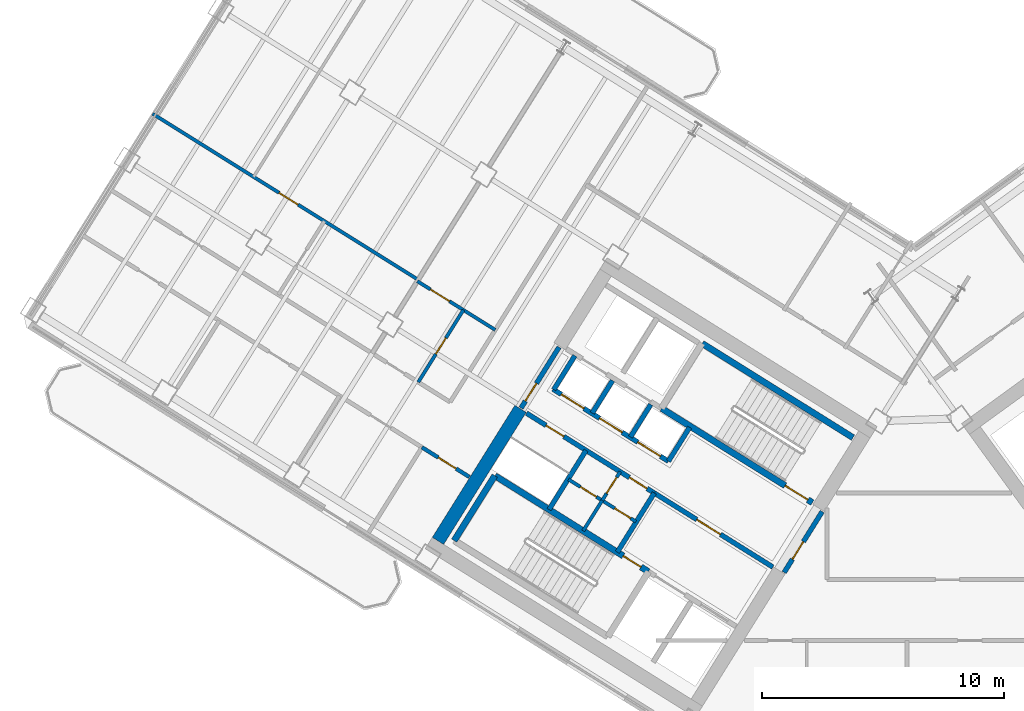
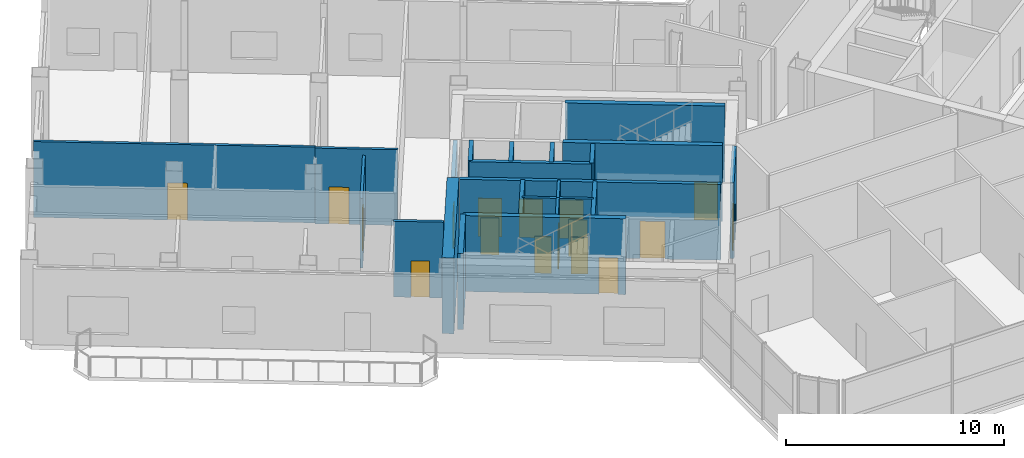
# One storey, part 12 of 21: 23 walls, 17 doors, 17 openings.
"""IFC4 building model written with IfcOpenShell, lengths in metres."""

from ifc_helpers import new_model, si_unit, direction, frame, frame_2d, origin, place, context, subcontext, project, spatial, rectangle, extrude, source, transform, mapped, material, layer, layer_set, type_object, element, fill, save


model = new_model("IFC4")

# Units and contexts
model_context = context("Model", 3, precision=1e-05, world=origin(), true_north=direction((0.0, 1.0)))
body_context = subcontext(model_context, "Body", "Model", "MODEL_VIEW")
ifc_project = project(units=[si_unit("LENGTHUNIT", "METRE"), si_unit("AREAUNIT", "SQUARE_METRE"), si_unit("VOLUMEUNIT", "CUBIC_METRE"), si_unit("PLANEANGLEUNIT", "RADIAN"), si_unit("MASSUNIT", "GRAM", prefix="KILO")], contexts=[model_context])

# Site, building, storey
site_placement = place(None, origin())
site = spatial("IfcSite", under=ifc_project, at=site_placement, CompositionType="ELEMENT")
building_placement = place(site_placement, origin())
building = spatial("IfcBuilding", under=site, at=building_placement, Name="Tlacorven Tower", CompositionType="ELEMENT")
storey_placement = place(building_placement, frame((0.0, 0.0, 199.5)))
storey = spatial("IfcBuildingStorey", under=building, at=storey_placement, Name="L50", CompositionType="ELEMENT", Elevation=199.5)

# Wall
ifc_material_1 = material(Name="Concrete C60/75", Category="concrete")
ifc_layer_1 = layer(ifc_material_1, 0.550048828125)
ifc_layer_set_1 = layer_set([ifc_layer_1], Name="Concrete C60/75")
wall_type_1 = type_object("IfcWallType", Name="WL-COR-550", PredefinedType="SHEAR", material=ifc_layer_set_1)
wall_1_placement = place(storey_placement, frame((26.006591796875, 24.975830078125, 0.0), z_axis=(0.0, 0.0, 1.0), x_axis=(-0.529923795287, -0.848045264823, 0.0)))
element("IfcWall", 1, at=wall_1_placement, inside=storey, type_object=wall_type_1, Name="L50 W core end wall E2.2", PredefinedType="SHEAR", context=body_context, shape_type="SweptSolid", body=[
    extrude(rectangle(XDim=6.425048828125, YDim=0.550048828125, at=frame_2d((3.21240234375, 0.0))), origin(), (0.0, 0.0, 1.0), 4.25),
])

# Wall, opening, door
ifc_material_2 = material(Name="Gypsum plasterboard acoustic partition", Category="gypsum")
ifc_layer_2 = layer(ifc_material_2, 0.159912109375)
ifc_layer_set_2 = layer_set([ifc_layer_2], Name="Gypsum plasterboard acoustic partition")
wall_type_2 = type_object("IfcWallType", Name="WL-DEM-160", PredefinedType="PARTITIONING", material=ifc_layer_set_2)
wall_2_placement = place(storey_placement, frame((23.895751953125, 22.167724609375, 0.0), z_axis=(0.0, 0.0, 1.0), x_axis=(-0.848075553449, 0.529875320846, 0.0)))
wall_2 = element("IfcWall", 2, at=wall_2_placement, inside=storey, type_object=wall_type_2, Name="L50 partition 46", PredefinedType="PARTITIONING", context=body_context, shape_type="SweptSolid", body=[
    extrude(rectangle(XDim=2.307861328125, YDim=0.159912109375, at=frame_2d((1.15380859375, 0.0))), origin(), (0.0, 0.0, 1.0), 4.239990234375),
])
opening_1_placement = place(wall_2_placement, frame((0.64794921875, 0.0, 0.0)))
opening_1 = element("IfcOpeningElement", 3, at=opening_1_placement, cuts=wall_2, Name="Opening D19", PredefinedType="OPENING", context=body_context, shape_type="SweptSolid", body=[
    extrude(rectangle(XDim=0.860107421875, YDim=2.050048828125, at=frame_2d((0.43017578125, 1.02490234375))), frame((0.0, 0.08984375, 0.0), z_axis=(0.0, -1.0, 0.0), x_axis=(1.0, 0.0, 0.0)), (0.0, 0.0, 1.0), 0.179931640625),
])
ifc_material_3 = material(Name="Fire-rated steel door assembly", Category="steel")
door_type_1 = type_object("IfcDoorType", Name="DR-RSR-FD60-0860", OperationType="NOTDEFINED", PredefinedType="DOOR", material=ifc_material_3)
shared_shape_1 = source(origin(), body_context, "Body", "SweptSolid", [
    extrude(rectangle(XDim=0.860107421875, YDim=2.050048828125, at=frame_2d((0.43017578125, 1.02490234375))), frame((0.0, 0.02490234375, 0.0), z_axis=(0.0, -1.0, 0.0), x_axis=(1.0, 0.0, 0.0)), (0.0, 0.0, 1.0), 0.050048828125),
])
door_1_placement = place(opening_1_placement, origin())
door_1 = element("IfcDoor", 4, at=door_1_placement, inside=storey, type_object=door_type_1, Name="L50 door 024", OperationType="SINGLE_SWING_RIGHT", OverallHeight=2.050048828125, OverallWidth=0.860107421875, PredefinedType="DOOR", context=body_context, shape_type="MappedRepresentation", body=[
    mapped(shared_shape_1, transform((0.0, 0.0, 0.0), scale=1.0)),
])
fill(opening_1, door_1)

ifc_material_4 = material(Name="Moisture-resistant gypsum plumbing wall", Category="gypsum")
ifc_layer_3 = layer(ifc_material_4, 0.139892578125)
ifc_layer_set_3 = layer_set([ifc_layer_3], Name="Moisture-resistant gypsum plumbing wall")
wall_type_3 = type_object("IfcWallType", Name="WL-PLM-140", PredefinedType="PLUMBINGWALL", material=ifc_layer_set_3)
wall_3_placement = place(storey_placement, frame((30.117431640625, 22.383544921875, 0.0), z_axis=(0.0, 0.0, 1.0), x_axis=(-0.529951914384, -0.848027693204, 0.0)))
wall_3 = element("IfcWall", 5, at=wall_3_placement, inside=storey, type_object=wall_type_3, Name="L50 partition 23", PredefinedType="PLUMBINGWALL", context=body_context, shape_type="SweptSolid", body=[
    extrude(rectangle(XDim=1.39990234375, YDim=0.139892578125, at=frame_2d((0.699951171875, 0.0))), origin(), (0.0, 0.0, 1.0), 4.239990234375),
])
opening_2_placement = place(wall_3_placement, frame((0.280029296875, 0.0, 0.0)))
opening_2 = element("IfcOpeningElement", 6, at=opening_2_placement, cuts=wall_3, Name="Opening D22", PredefinedType="OPENING", context=body_context, shape_type="SweptSolid", body=[
    extrude(rectangle(XDim=0.780029296875, YDim=2.050048828125, at=frame_2d((0.39013671875, 1.02490234375))), frame((0.0, 0.080078125, 0.0), z_axis=(0.0, -1.0, 0.0), x_axis=(1.0, 0.0, 0.0)), (0.0, 0.0, 1.0), 0.159912109375),
])
ifc_material_5 = material(Name="Powder-coated aluminium and timber door", Category="wood")
door_type_2 = type_object("IfcDoorType", Name="DR-INT-WET-0780", OperationType="NOTDEFINED", PredefinedType="DOOR", material=ifc_material_5)
shared_shape_2 = source(origin(), body_context, "Body", "SweptSolid", [
    extrude(rectangle(XDim=0.780029296875, YDim=2.050048828125, at=frame_2d((0.39013671875, 1.02490234375))), frame((0.0, 0.02490234375, 0.0), z_axis=(0.0, -1.0, 0.0), x_axis=(1.0, 0.0, 0.0)), (0.0, 0.0, 1.0), 0.050048828125),
])
door_2_placement = place(opening_2_placement, origin())
door_2 = element("IfcDoor", 7, at=door_2_placement, inside=storey, type_object=door_type_2, Name="L50 door 013", OperationType="SINGLE_SWING_LEFT", OverallHeight=2.050048828125, OverallWidth=0.780029296875, PredefinedType="DOOR", context=body_context, shape_type="MappedRepresentation", body=[
    mapped(shared_shape_2, transform((0.0, 0.0, 0.0), scale=1.0)),
])
fill(opening_2, door_2)

# Wall
wall_4_placement = place(storey_placement, frame((29.37548828125, 21.1962890625, 0.0), z_axis=(0.0, 0.0, 1.0), x_axis=(-0.529865479138, -0.848081702443, 0.0)))
element("IfcWall", 8, at=wall_4_placement, inside=storey, type_object=wall_type_3, Name="L50 partition 24", PredefinedType="PLUMBINGWALL", context=body_context, shape_type="SweptSolid", body=[
    extrude(rectangle(XDim=1.47998046875, YDim=0.139892578125, at=frame_2d((0.739990234375, 0.0))), origin(), (0.0, 0.0, 1.0), 4.239990234375),
])

# Wall, openings, doors
wall_5_placement = place(storey_placement, frame((30.766357421875, 20.3271484375, 0.0), z_axis=(0.0, 0.0, 1.0), x_axis=(-0.848052663127, 0.529911955482, 0.0)))
wall_5 = element("IfcWall", 9, at=wall_5_placement, inside=storey, type_object=wall_type_3, Name="L50 partition 25", PredefinedType="PLUMBINGWALL", context=body_context, shape_type="SweptSolid", body=[
    extrude(rectangle(XDim=3.27978515625, YDim=0.139892578125, at=frame_2d((1.639892578125, 0.0))), origin(), (0.0, 0.0, 1.0), 4.239990234375),
])
opening_3_placement = place(wall_5_placement, frame((0.25, 0.0, 0.0)))
opening_3 = element("IfcOpeningElement", 10, at=opening_3_placement, cuts=wall_5, Name="Opening D22", PredefinedType="OPENING", context=body_context, shape_type="SweptSolid", body=[
    extrude(rectangle(XDim=0.780029296875, YDim=2.050048828125, at=frame_2d((0.39013671875, 1.02490234375))), frame((0.0, 0.080078125, 0.0), z_axis=(0.0, -1.0, 0.0), x_axis=(1.0, 0.0, 0.0)), (0.0, 0.0, 1.0), 0.159912109375),
])
opening_4_placement = place(wall_5_placement, frame((1.919921875, 0.0, 0.0)))
opening_4 = element("IfcOpeningElement", 11, at=opening_4_placement, cuts=wall_5, Name="Opening D22", PredefinedType="OPENING", context=body_context, shape_type="SweptSolid", body=[
    extrude(rectangle(XDim=0.780029296875, YDim=2.050048828125, at=frame_2d((0.39013671875, 1.02490234375))), frame((0.0, 0.080078125, 0.0), z_axis=(0.0, -1.0, 0.0), x_axis=(1.0, 0.0, 0.0)), (0.0, 0.0, 1.0), 0.159912109375),
])
door_3_placement = place(opening_3_placement, origin())
door_3 = element("IfcDoor", 12, at=door_3_placement, inside=storey, type_object=door_type_2, Name="L50 door 014", OperationType="SINGLE_SWING_RIGHT", OverallHeight=2.050048828125, OverallWidth=0.780029296875, PredefinedType="DOOR", context=body_context, shape_type="MappedRepresentation", body=[
    mapped(shared_shape_2, transform((0.0, 0.0, 0.0), scale=1.0)),
])
fill(opening_3, door_3)
door_4_placement = place(opening_4_placement, origin())
door_4 = element("IfcDoor", 13, at=door_4_placement, inside=storey, type_object=door_type_2, Name="L50 door 015", OperationType="SINGLE_SWING_LEFT", OverallHeight=2.050048828125, OverallWidth=0.780029296875, PredefinedType="DOOR", context=body_context, shape_type="MappedRepresentation", body=[
    mapped(shared_shape_2, transform((0.0, 0.0, 0.0), scale=1.0)),
])
fill(opening_4, door_4)

# Wall, opening, door
wall_6_placement = place(storey_placement, frame((24.96435546875, 28.233154296875, 0.0), z_axis=(0.0, 0.0, 1.0), x_axis=(-0.848059820872, 0.529900500304, 0.0)))
wall_6 = element("IfcWall", 14, at=wall_6_placement, inside=storey, type_object=wall_type_3, Name="L50 partition 55", PredefinedType="PLUMBINGWALL", context=body_context, shape_type="SweptSolid", body=[
    extrude(rectangle(XDim=3.7900390625, YDim=0.139892578125, at=frame_2d((1.89501953125, 0.0))), origin(), (0.0, 0.0, 1.0), 4.239990234375),
])
opening_5_placement = place(wall_6_placement, frame((2.22998046875, 0.0, 0.0)))
opening_5 = element("IfcOpeningElement", 15, at=opening_5_placement, cuts=wall_6, Name="Opening D12", PredefinedType="OPENING", context=body_context, shape_type="SweptSolid", body=[
    extrude(rectangle(XDim=0.919921875, YDim=2.080078125, at=frame_2d((0.4599609375, 1.0400390625))), frame((0.0, 0.080078125, 0.0), z_axis=(0.0, -1.0, 0.0), x_axis=(1.0, 0.0, 0.0)), (0.0, 0.0, 1.0), 0.159912109375),
])
door_type_3 = type_object("IfcDoorType", Name="DR-INT-ROOM-0920", OperationType="NOTDEFINED", PredefinedType="DOOR", material=ifc_material_5)
shared_shape_3 = source(origin(), body_context, "Body", "SweptSolid", [
    extrude(rectangle(XDim=0.919921875, YDim=2.080078125, at=frame_2d((0.4599609375, 1.0400390625))), frame((0.0, 0.02490234375, 0.0), z_axis=(0.0, -1.0, 0.0), x_axis=(1.0, 0.0, 0.0)), (0.0, 0.0, 1.0), 0.050048828125),
])
door_5_placement = place(opening_5_placement, origin())
door_5 = element("IfcDoor", 16, at=door_5_placement, inside=storey, type_object=door_type_3, Name="L50 door 030", OperationType="SINGLE_SWING_LEFT", OverallHeight=2.080078125, OverallWidth=0.919921875, PredefinedType="DOOR", context=body_context, shape_type="MappedRepresentation", body=[
    mapped(shared_shape_3, transform((0.0, 0.0, 0.0), scale=1.0)),
])
fill(opening_5, door_5)

wall_7_placement = place(storey_placement, frame((23.649658203125, 29.054443359375, 0.0), z_axis=(0.0, 0.0, 1.0), x_axis=(-0.529898896701, -0.848060822863, 0.0)))
wall_7 = element("IfcWall", 17, at=wall_7_placement, inside=storey, type_object=wall_type_3, Name="L50 partition 56", PredefinedType="PLUMBINGWALL", context=body_context, shape_type="SweptSolid", body=[
    extrude(rectangle(XDim=3.509765625, YDim=0.139892578125, at=frame_2d((1.7548828125, 0.0))), origin(), (0.0, 0.0, 1.0), 3.89501953125),
])
opening_6_placement = place(wall_7_placement, frame((1.364990234375, 0.0, 0.0)))
opening_6 = element("IfcOpeningElement", 18, at=opening_6_placement, cuts=wall_7, Name="Opening D22", PredefinedType="OPENING", context=body_context, shape_type="SweptSolid", body=[
    extrude(rectangle(XDim=0.780029296875, YDim=2.050048828125, at=frame_2d((0.39013671875, 1.02490234375))), frame((0.0, 0.080078125, 0.0), z_axis=(0.0, -1.0, 0.0), x_axis=(1.0, 0.0, 0.0)), (0.0, 0.0, 1.0), 0.159912109375),
])
door_6_placement = place(opening_6_placement, origin())
door_6 = element("IfcDoor", 19, at=door_6_placement, inside=storey, type_object=door_type_2, Name="L50 door 031", OperationType="SINGLE_SWING_RIGHT", OverallHeight=2.050048828125, OverallWidth=0.780029296875, PredefinedType="DOOR", context=body_context, shape_type="MappedRepresentation", body=[
    mapped(shared_shape_2, transform((0.0, 0.0, 0.0), scale=1.0)),
])
fill(opening_6, door_6)

wall_8_placement = place(storey_placement, frame((21.787353515625, 30.30078125, 0.0), z_axis=(0.0, 0.0, 1.0), x_axis=(-0.848043949058, 0.52992590092, 0.0)))
wall_8 = element("IfcWall", 20, at=wall_8_placement, inside=storey, type_object=wall_type_3, Name="L50 partition 57", PredefinedType="PLUMBINGWALL", context=body_context, shape_type="SweptSolid", body=[
    extrude(rectangle(XDim=12.920166015625, YDim=0.139892578125, at=frame_2d((6.4599609375, 0.0))), origin(), (0.0, 0.0, 1.0), 4.239990234375),
])
opening_7_placement = place(wall_8_placement, frame((5.84912109375, 0.0, 0.0)))
opening_7 = element("IfcOpeningElement", 21, at=opening_7_placement, cuts=wall_8, Name="Opening D12", PredefinedType="OPENING", context=body_context, shape_type="SweptSolid", body=[
    extrude(rectangle(XDim=0.919921875, YDim=2.080078125, at=frame_2d((0.4599609375, 1.0400390625))), frame((0.0, 0.080078125, 0.0), z_axis=(0.0, -1.0, 0.0), x_axis=(1.0, 0.0, 0.0)), (0.0, 0.0, 1.0), 0.159912109375),
])
door_7_placement = place(opening_7_placement, origin())
door_7 = element("IfcDoor", 22, at=door_7_placement, inside=storey, type_object=door_type_3, Name="L50 door 034", OperationType="SINGLE_SWING_LEFT", OverallHeight=2.080078125, OverallWidth=0.919921875, PredefinedType="DOOR", context=body_context, shape_type="MappedRepresentation", body=[
    mapped(shared_shape_3, transform((0.0, 0.0, 0.0), scale=1.0)),
])
fill(opening_7, door_7)

ifc_material_6 = material(Name="Concrete C40/50", Category="concrete")
ifc_layer_4 = layer(ifc_material_6, 0.199951171875)
ifc_layer_set_4 = layer_set([ifc_layer_4], Name="Concrete C40/50")
wall_type_4 = type_object("IfcWallType", Name="WL-SHF-200", PredefinedType="STANDARD", material=ifc_layer_set_4)
wall_9_placement = place(storey_placement, frame((36.416748046875, 18.447265625, 0.0), z_axis=(0.0, 0.0, 1.0), x_axis=(-0.848064879198, 0.529892404805, 0.0)))
wall_9 = element("IfcWall", 23, at=wall_9_placement, inside=storey, type_object=wall_type_4, Name="L50 Core W Smoke Lobby Wall", PredefinedType="STANDARD", context=body_context, shape_type="SweptSolid", body=[
    extrude(rectangle(XDim=5.76806640625, YDim=0.199951171875, at=frame_2d((2.884033203125, 0.0))), origin(), (0.0, 0.0, 1.0), 4.239990234375),
])
opening_8_placement = place(wall_9_placement, frame((2.548095703125, 0.0, 0.0)))
opening_8 = element("IfcOpeningElement", 24, at=opening_8_placement, cuts=wall_9, Name="Opening D09", PredefinedType="OPENING", context=body_context, shape_type="SweptSolid", body=[
    extrude(rectangle(XDim=1.14990234375, YDim=2.10009765625, at=frame_2d((0.574951171875, 1.050048828125))), frame((0.0, 0.10986328125, 0.0), z_axis=(0.0, -1.0, 0.0), x_axis=(1.0, 0.0, 0.0)), (0.0, 0.0, 1.0), 0.219970703125),
])
door_type_4 = type_object("IfcDoorType", Name="DR-FFL-FD60-1150", OperationType="NOTDEFINED", PredefinedType="DOOR", material=ifc_material_3)
shared_shape_4 = source(origin(), body_context, "Body", "SweptSolid", [
    extrude(rectangle(XDim=1.14990234375, YDim=2.10009765625, at=frame_2d((0.574951171875, 1.050048828125))), frame((0.0, 0.02490234375, 0.0), z_axis=(0.0, -1.0, 0.0), x_axis=(1.0, 0.0, 0.0)), (0.0, 0.0, 1.0), 0.050048828125),
])
door_8_placement = place(opening_8_placement, origin())
door_8 = element("IfcDoor", 25, at=door_8_placement, inside=storey, type_object=door_type_4, Name="L50 Firefighting Lobby W Fire Door", OperationType="SINGLE_SWING_RIGHT", OverallHeight=2.10009765625, OverallWidth=1.14990234375, PredefinedType="DOOR", context=body_context, shape_type="MappedRepresentation", body=[
    mapped(shared_shape_4, transform((0.0, 0.0, 0.0), scale=1.0)),
])
fill(opening_8, door_8)

# Wall, openings, doors
wall_10_placement = place(storey_placement, frame((32.108154296875, 22.81396484375, 0.0), z_axis=(0.0, 0.0, 1.0), x_axis=(-0.848042229521, 0.529928652696, 0.0)))
wall_10 = element("IfcWall", 26, at=wall_10_placement, inside=storey, type_object=wall_type_4, Name="L50 partition 11", PredefinedType="STANDARD", context=body_context, shape_type="SweptSolid", body=[
    extrude(rectangle(XDim=5.6201171875, YDim=0.199951171875, at=frame_2d((2.81005859375, 0.0))), origin(), (0.0, 0.0, 1.0), 4.239990234375),
])
opening_9_placement = place(wall_10_placement, frame((0.389892578125, 0.0, 0.0)))
opening_9 = element("IfcOpeningElement", 27, at=opening_9_placement, cuts=wall_10, Name="Opening LD01", PredefinedType="OPENING", context=body_context, shape_type="SweptSolid", body=[
    extrude(rectangle(XDim=1.10009765625, YDim=2.14990234375, at=frame_2d((0.550048828125, 1.074951171875))), frame((0.0, 0.10986328125, 0.0), z_axis=(0.0, -1.0, 0.0), x_axis=(1.0, 0.0, 0.0)), (0.0, 0.0, 1.0), 0.219970703125),
])
opening_10_placement = place(wall_10_placement, frame((2.25, 0.0, 0.0)))
opening_10 = element("IfcOpeningElement", 28, at=opening_10_placement, cuts=wall_10, Name="Opening LD01", PredefinedType="OPENING", context=body_context, shape_type="SweptSolid", body=[
    extrude(rectangle(XDim=1.10009765625, YDim=2.14990234375, at=frame_2d((0.550048828125, 1.074951171875))), frame((0.0, 0.10986328125, 0.0), z_axis=(0.0, -1.0, 0.0), x_axis=(1.0, 0.0, 0.0)), (0.0, 0.0, 1.0), 0.219970703125),
])
opening_11_placement = place(wall_10_placement, frame((4.110107421875, 0.0, 0.0)))
opening_11 = element("IfcOpeningElement", 29, at=opening_11_placement, cuts=wall_10, Name="Opening LD01", PredefinedType="OPENING", context=body_context, shape_type="SweptSolid", body=[
    extrude(rectangle(XDim=1.10009765625, YDim=2.14990234375, at=frame_2d((0.550048828125, 1.074951171875))), frame((0.0, 0.10986328125, 0.0), z_axis=(0.0, -1.0, 0.0), x_axis=(1.0, 0.0, 0.0)), (0.0, 0.0, 1.0), 0.219970703125),
])
door_type_5 = type_object("IfcDoorType", Name="DR-LFT-SLID-1100", OperationType="DOUBLE_DOOR_SLIDING", PredefinedType="DOOR", material=ifc_material_3)
shared_shape_5 = source(origin(), body_context, "Body", "SweptSolid", [
    extrude(rectangle(XDim=1.10009765625, YDim=2.14990234375, at=frame_2d((0.550048828125, 1.074951171875))), frame((0.0, 0.02490234375, 0.0), z_axis=(0.0, -1.0, 0.0), x_axis=(1.0, 0.0, 0.0)), (0.0, 0.0, 1.0), 0.050048828125),
])
door_9_placement = place(opening_9_placement, origin())
door_9 = element("IfcDoor", 30, at=door_9_placement, inside=storey, type_object=door_type_5, Name="L50 Lift PL-M1 Sliding Landing Door", OperationType="DOUBLE_DOOR_SLIDING", OverallHeight=2.14990234375, OverallWidth=1.10009765625, PredefinedType="DOOR", context=body_context, shape_type="MappedRepresentation", body=[
    mapped(shared_shape_5, transform((0.0, 0.0, 0.0), scale=1.0)),
])
fill(opening_9, door_9)
door_10_placement = place(opening_10_placement, origin())
door_10 = element("IfcDoor", 31, at=door_10_placement, inside=storey, type_object=door_type_5, Name="L50 Lift PL-M2 Sliding Landing Door", OperationType="DOUBLE_DOOR_SLIDING", OverallHeight=2.14990234375, OverallWidth=1.10009765625, PredefinedType="DOOR", context=body_context, shape_type="MappedRepresentation", body=[
    mapped(shared_shape_5, transform((0.0, 0.0, 0.0), scale=1.0)),
])
fill(opening_10, door_10)
door_11_placement = place(opening_11_placement, origin())
door_11 = element("IfcDoor", 32, at=door_11_placement, inside=storey, type_object=door_type_5, Name="L50 Lift PL-M3 Sliding Landing Door", OperationType="DOUBLE_DOOR_SLIDING", OverallHeight=2.14990234375, OverallWidth=1.10009765625, PredefinedType="DOOR", context=body_context, shape_type="MappedRepresentation", body=[
    mapped(shared_shape_5, transform((0.0, 0.0, 0.0), scale=1.0)),
])
fill(opening_11, door_11)

# Walls
wall_11_placement = place(storey_placement, frame((32.982421875, 24.21337890625, 0.0), z_axis=(0.0, 0.0, 1.0), x_axis=(-0.529839334948, -0.84809803628, 0.0)))
element("IfcWall", 33, at=wall_11_placement, inside=storey, type_object=wall_type_4, Name="L50 partition 12", PredefinedType="STANDARD", context=body_context, shape_type="SweptSolid", body=[
    extrude(rectangle(XDim=1.650146484375, YDim=0.199951171875, at=frame_2d((0.8251953125, 0.0))), origin(), (0.0, 0.0, 1.0), 4.239990234375),
])
wall_12_placement = place(storey_placement, frame((28.250244140625, 27.170166015625, 0.0), z_axis=(0.0, 0.0, 1.0), x_axis=(-0.529905827651, -0.848056492117, 0.0)))
element("IfcWall", 34, at=wall_12_placement, inside=storey, type_object=wall_type_4, Name="L50 partition 13", PredefinedType="STANDARD", context=body_context, shape_type="SweptSolid", body=[
    extrude(rectangle(XDim=1.64990234375, YDim=0.199951171875, at=frame_2d((0.824951171875, 0.0))), origin(), (0.0, 0.0, 1.0), 4.239990234375),
])
for number, where, z_axis, x_axis, name in (
    (35, (31.378662109375, 25.156494140625, 0.0), (0.0, 0.0, 1.0), (-0.529998940003, -0.847998304005, 0.0), "L50 partition 18"),
    (36, (29.80126953125, 26.14208984375, 0.0), (0.0, 0.0, 1.0), (-0.529998940003, -0.847998304005, 0.0), "L50 partition 19"),
):
    element("IfcWall", number, at=place(storey_placement, frame(where, z_axis=z_axis, x_axis=x_axis)), inside=storey, type_object=wall_type_4, Name=name, PredefinedType="STANDARD", context=body_context, shape_type="SweptSolid", body=[
        extrude(rectangle(XDim=1.580078125, YDim=0.199951171875, at=frame_2d((0.7900390625, 0.0))), origin(), (0.0, 0.0, 1.0), 4.239990234375),
    ])
for number, where, z_axis, x_axis, name in (
    (37, (31.525146484375, 21.503662109375, 0.0), (0.0, 0.0, 1.0), (-0.529907497854, -0.848055448493, 0.0), "L50 partition 20"),
    (38, (28.709716796875, 23.26318359375, 0.0), (0.0, 0.0, 1.0), (-0.529907497854, -0.848055448493, 0.0), "L50 partition 21"),
):
    element("IfcWall", number, at=place(storey_placement, frame(where, z_axis=z_axis, x_axis=x_axis)), inside=storey, type_object=wall_type_4, Name=name, PredefinedType="STANDARD", context=body_context, shape_type="SweptSolid", body=[
        extrude(rectangle(XDim=2.8798828125, YDim=0.199951171875, at=frame_2d((1.43994140625, 0.0))), origin(), (0.0, 0.0, 1.0), 4.239990234375),
    ])

# Wall, openings, doors
wall_13_placement = place(storey_placement, frame((31.525146484375, 21.503662109375, 0.0), z_axis=(0.0, 0.0, 1.0), x_axis=(-0.848040211232, 0.529931882541, 0.0)))
wall_13 = element("IfcWall", 39, at=wall_13_placement, inside=storey, type_object=wall_type_4, Name="L50 Core W North Service Wall", PredefinedType="STANDARD", context=body_context, shape_type="SweptSolid", body=[
    extrude(rectangle(XDim=6.218017578125, YDim=0.199951171875, at=frame_2d((3.10888671875, 0.0))), origin(), (0.0, 0.0, 1.0), 4.239990234375),
])
opening_12_placement = place(wall_13_placement, frame((4.39990234375, 0.0, 0.0)))
opening_12 = element("IfcOpeningElement", 40, at=opening_12_placement, cuts=wall_13, Name="Opening D19", PredefinedType="OPENING", context=body_context, shape_type="SweptSolid", body=[
    extrude(rectangle(XDim=0.860107421875, YDim=2.050048828125, at=frame_2d((0.43017578125, 1.02490234375))), frame((0.0, 0.10986328125, 0.0), z_axis=(0.0, -1.0, 0.0), x_axis=(1.0, 0.0, 0.0)), (0.0, 0.0, 1.0), 0.219970703125),
])
opening_13_placement = place(wall_13_placement, frame((0.35009765625, 0.0, 0.0)))
opening_13 = element("IfcOpeningElement", 41, at=opening_13_placement, cuts=wall_13, Name="Opening D19", PredefinedType="OPENING", context=body_context, shape_type="SweptSolid", body=[
    extrude(rectangle(XDim=0.860107421875, YDim=2.050048828125, at=frame_2d((0.43017578125, 1.02490234375))), frame((0.0, 0.10986328125, 0.0), z_axis=(0.0, -1.0, 0.0), x_axis=(1.0, 0.0, 0.0)), (0.0, 0.0, 1.0), 0.219970703125),
])
door_12_placement = place(opening_12_placement, frame((0.860107421875, 0.0, 0.0), z_axis=(0.0, 0.0, 1.0), x_axis=(-1.0, 0.0, 0.0)))
door_12 = element("IfcDoor", 42, at=door_12_placement, inside=storey, type_object=door_type_1, Name="L50 Electrical Riser Access Door W", OperationType="SINGLE_SWING_LEFT", OverallHeight=2.050048828125, OverallWidth=0.860107421875, PredefinedType="DOOR", context=body_context, shape_type="MappedRepresentation", body=[
    mapped(shared_shape_1, transform((0.0, 0.0, 0.0), scale=1.0)),
])
fill(opening_12, door_12)
door_13_placement = place(opening_13_placement, frame((0.860107421875, 0.0, 0.0), z_axis=(0.0, 0.0, 1.0), x_axis=(-1.0, 0.0, 0.0)))
door_13 = element("IfcDoor", 43, at=door_13_placement, inside=storey, type_object=door_type_1, Name="L50 Cleaning Room Access Door W", OperationType="SINGLE_SWING_RIGHT", OverallHeight=2.050048828125, OverallWidth=0.860107421875, PredefinedType="DOOR", context=body_context, shape_type="MappedRepresentation", body=[
    mapped(shared_shape_1, transform((0.0, 0.0, 0.0), scale=1.0)),
])
fill(opening_13, door_13)

# Wall, opening, door
wall_14_placement = place(storey_placement, frame((27.59619140625, 27.52001953125, 0.0), z_axis=(0.0, 0.0, 1.0), x_axis=(-0.529865479138, -0.848081702443, 0.0)))
wall_14 = element("IfcWall", 44, at=wall_14_placement, inside=storey, type_object=wall_type_4, Name="L50 partition 44", PredefinedType="STANDARD", context=body_context, shape_type="SweptSolid", body=[
    extrude(rectangle(XDim=2.9599609375, YDim=0.199951171875, at=frame_2d((1.47998046875, 0.0))), origin(), (0.0, 0.0, 1.0), 4.239990234375),
])
opening_14_placement = place(wall_14_placement, frame((1.760009765625, 0.0, 0.0)))
opening_14 = element("IfcOpeningElement", 45, at=opening_14_placement, cuts=wall_14, Name="Opening D19", PredefinedType="OPENING", context=body_context, shape_type="SweptSolid", body=[
    extrude(rectangle(XDim=0.860107421875, YDim=2.050048828125, at=frame_2d((0.43017578125, 1.02490234375))), frame((0.0, 0.10986328125, 0.0), z_axis=(0.0, -1.0, 0.0), x_axis=(1.0, 0.0, 0.0)), (0.0, 0.0, 1.0), 0.219970703125),
])
door_14_placement = place(opening_14_placement, origin())
door_14 = element("IfcDoor", 46, at=door_14_placement, inside=storey, type_object=door_type_1, Name="L50 door 025", OperationType="SINGLE_SWING_LEFT", OverallHeight=2.050048828125, OverallWidth=0.860107421875, PredefinedType="DOOR", context=body_context, shape_type="MappedRepresentation", body=[
    mapped(shared_shape_1, transform((0.0, 0.0, 0.0), scale=1.0)),
])
fill(opening_14, door_14)

wall_15_placement = place(storey_placement, frame((38.451416015625, 20.737060546875, 0.0), z_axis=(0.0, 0.0, 1.0), x_axis=(-0.529924799939, -0.848044637038, 0.0)))
wall_15 = element("IfcWall", 47, at=wall_15_placement, inside=storey, type_object=wall_type_4, Name="L50 partition 65", PredefinedType="STANDARD", context=body_context, shape_type="SweptSolid", body=[
    extrude(rectangle(XDim=2.9599609375, YDim=0.199951171875, at=frame_2d((1.47998046875, 0.0))), origin(), (0.0, 0.0, 1.0), 4.239990234375),
])
opening_15_placement = place(wall_15_placement, frame((1.4599609375, 0.0, 0.0)))
opening_15 = element("IfcOpeningElement", 48, at=opening_15_placement, cuts=wall_15, Name="Opening D19", PredefinedType="OPENING", context=body_context, shape_type="SweptSolid", body=[
    extrude(rectangle(XDim=0.860107421875, YDim=2.050048828125, at=frame_2d((0.43017578125, 1.02490234375))), frame((0.0, 0.10986328125, 0.0), z_axis=(0.0, -1.0, 0.0), x_axis=(1.0, 0.0, 0.0)), (0.0, 0.0, 1.0), 0.219970703125),
])
door_15_placement = place(opening_15_placement, frame((0.860107421875, 0.0, 0.0), z_axis=(0.0, 0.0, 1.0), x_axis=(-1.0, 0.0, 0.0)))
door_15 = element("IfcDoor", 49, at=door_15_placement, inside=storey, type_object=door_type_1, Name="L50 door 040", OperationType="SINGLE_SWING_LEFT", OverallHeight=2.050048828125, OverallWidth=0.860107421875, PredefinedType="DOOR", context=body_context, shape_type="MappedRepresentation", body=[
    mapped(shared_shape_1, transform((0.0, 0.0, 0.0), scale=1.0)),
])
fill(opening_15, door_15)

ifc_material_7 = material(Name="Concrete C50/60", Category="concrete")
ifc_layer_5 = layer(ifc_material_7, 0.260009765625)
ifc_layer_set_5 = layer_set([ifc_layer_5], Name="Concrete C50/60")
wall_type_5 = type_object("IfcWallType", Name="WL-STW-260", PredefinedType="SHEAR", material=ifc_layer_set_5)
wall_16_placement = place(storey_placement, frame((31.279541015625, 18.26123046875, 0.0), z_axis=(0.0, 0.0, 1.0), x_axis=(-0.848051618787, 0.529913626805, 0.0)))
wall_16 = element("IfcWall", 50, at=wall_16_placement, inside=storey, type_object=wall_type_5, Name="L50 Stair W1 Lobby Shear Wall", PredefinedType="SHEAR", context=body_context, shape_type="SweptSolid", body=[
    extrude(rectangle(XDim=7.4599609375, YDim=0.260009765625, at=frame_2d((3.72998046875, 0.0))), origin(), (0.0, 0.0, 1.0), 4.25),
])
opening_16_placement = place(wall_16_placement, frame((0.360107421875, 0.0, 0.0)))
opening_16 = element("IfcOpeningElement", 51, at=opening_16_placement, cuts=wall_16, Name="Opening D19", PredefinedType="OPENING", context=body_context, shape_type="SweptSolid", body=[
    extrude(rectangle(XDim=0.860107421875, YDim=2.050048828125, at=frame_2d((0.43017578125, 1.02490234375))), frame((0.0, 0.14013671875, 0.0), z_axis=(0.0, -1.0, 0.0), x_axis=(1.0, 0.0, 0.0)), (0.0, 0.0, 1.0), 0.280029296875),
])
door_16_placement = place(opening_16_placement, frame((0.860107421875, 0.0, 0.0), z_axis=(0.0, 0.0, 1.0), x_axis=(-1.0, 0.0, 0.0)))
door_16 = element("IfcDoor", 52, at=door_16_placement, inside=storey, type_object=door_type_1, Name="L50 Exit Stair W1 Fire Door", OperationType="SINGLE_SWING_LEFT", OverallHeight=2.050048828125, OverallWidth=0.860107421875, PredefinedType="DOOR", context=body_context, shape_type="MappedRepresentation", body=[
    mapped(shared_shape_1, transform((0.0, 0.0, 0.0), scale=1.0)),
])
fill(opening_16, door_16)

# Walls
wall_17_placement = place(storey_placement, frame((24.944580078125, 22.2197265625, 0.0), z_axis=(0.0, 0.0, 1.0), x_axis=(-0.529908658664, -0.84805472316, 0.0)))
element("IfcWall", 53, at=wall_17_placement, inside=storey, type_object=wall_type_5, Name="L50 Stair W1 East Shear Wall", PredefinedType="SHEAR", context=body_context, shape_type="SweptSolid", body=[
    extrude(rectangle(XDim=3.16015625, YDim=0.260009765625, at=frame_2d((1.580078125, 0.0))), origin(), (0.0, 0.0, 1.0), 4.25),
])
wall_18_placement = place(storey_placement, frame((39.720947265625, 23.787841796875, 0.0), z_axis=(0.0, 0.0, 1.0), x_axis=(-0.848054434086, 0.529909121291, 0.0)))
element("IfcWall", 54, at=wall_18_placement, inside=storey, type_object=wall_type_5, Name="L50 Stair W2 Far Shear Wall", PredefinedType="SHEAR", context=body_context, shape_type="SweptSolid", body=[
    extrude(rectangle(XDim=7.330078125, YDim=0.260009765625, at=frame_2d((3.6650390625, 0.0))), origin(), (0.0, 0.0, 1.0), 4.25),
])

# Wall, opening, door
wall_19_placement = place(storey_placement, frame((38.04638671875, 21.10791015625, 0.0), z_axis=(0.0, 0.0, 1.0), x_axis=(-0.848054434086, 0.529909121291, 0.0)))
wall_19 = element("IfcWall", 55, at=wall_19_placement, inside=storey, type_object=wall_type_5, Name="L50 Stair W2 Lobby Shear Wall", PredefinedType="SHEAR", context=body_context, shape_type="SweptSolid", body=[
    extrude(rectangle(XDim=7.330078125, YDim=0.260009765625, at=frame_2d((3.6650390625, 0.0))), origin(), (0.0, 0.0, 1.0), 4.25),
])
opening_17_placement = place(wall_19_placement, frame((0.219970703125, 0.0, 0.0)))
opening_17 = element("IfcOpeningElement", 56, at=opening_17_placement, cuts=wall_19, Name="Opening D07", PredefinedType="OPENING", context=body_context, shape_type="SweptSolid", body=[
    extrude(rectangle(XDim=1.10009765625, YDim=2.10009765625, at=frame_2d((0.550048828125, 1.050048828125))), frame((0.0, 0.14013671875, 0.0), z_axis=(0.0, -1.0, 0.0), x_axis=(1.0, 0.0, 0.0)), (0.0, 0.0, 1.0), 0.280029296875),
])
door_type_6 = type_object("IfcDoorType", Name="DR-STR-FD90-1100", OperationType="NOTDEFINED", PredefinedType="DOOR", material=ifc_material_3)
shared_shape_6 = source(origin(), body_context, "Body", "SweptSolid", [
    extrude(rectangle(XDim=1.10009765625, YDim=2.10009765625, at=frame_2d((0.550048828125, 1.050048828125))), frame((0.0, 0.02490234375, 0.0), z_axis=(0.0, -1.0, 0.0), x_axis=(1.0, 0.0, 0.0)), (0.0, 0.0, 1.0), 0.050048828125),
])
door_17_placement = place(opening_17_placement, origin())
door_17 = element("IfcDoor", 57, at=door_17_placement, inside=storey, type_object=door_type_6, Name="L50 Exit Stair W2 Fire Door", OperationType="SINGLE_SWING_LEFT", OverallHeight=2.10009765625, OverallWidth=1.10009765625, PredefinedType="DOOR", context=body_context, shape_type="MappedRepresentation", body=[
    mapped(shared_shape_6, transform((0.0, 0.0, 0.0), scale=1.0)),
])
fill(opening_17, door_17)

save(model, "model.ifc")
